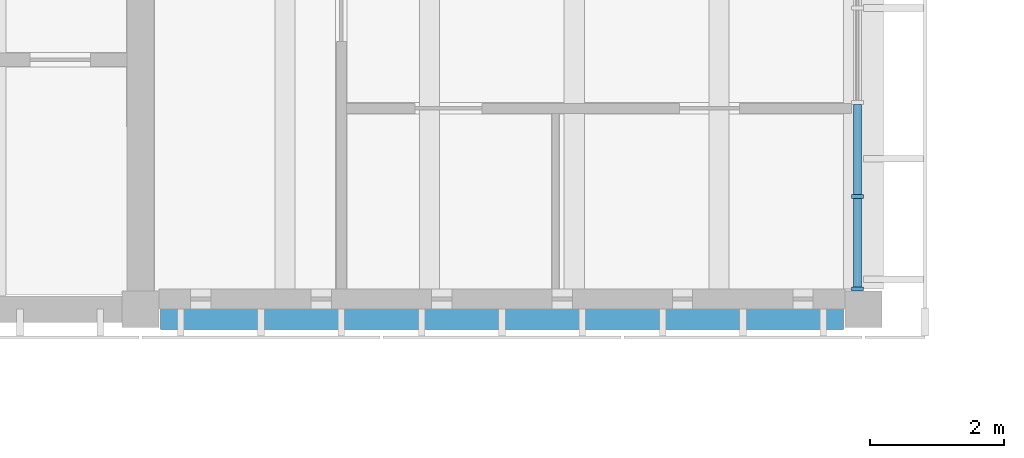
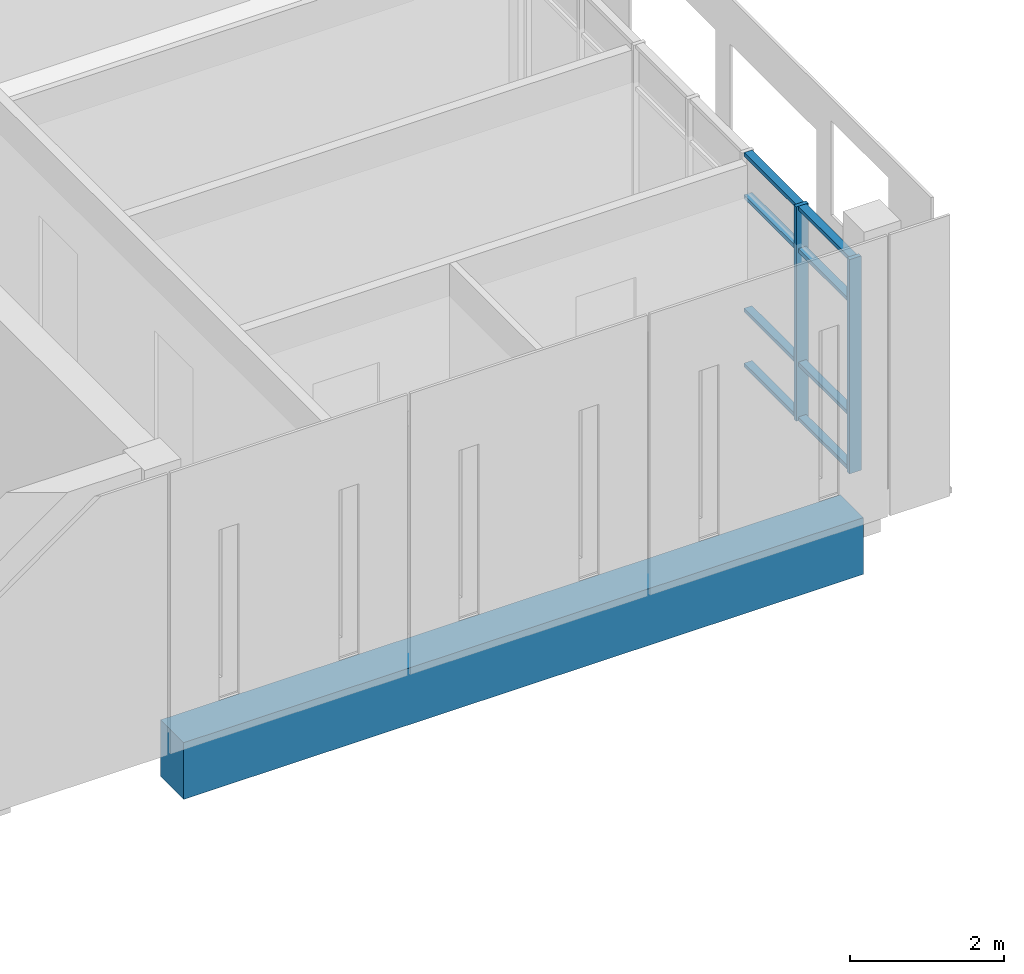
# One storey, part 8 of 74: 10 members, 1 beam, 1 element without a shape of its own.
"""IFC4 building model written with IfcOpenShell, lengths in metres."""

from ifc_helpers import new_model, si_unit, direction, frame, origin, origin_2d, place, context, subcontext, project, spatial, rectangle, extrude, material, material_profile, profile_set, type_object, element, aggregate, save


model = new_model("IFC4")

# Units and contexts
model_context = context("Model", 3, precision=1e-05, world=origin(), true_north=direction((0.0, 1.0)))
body_context = subcontext(model_context, "Body", "Model", "MODEL_VIEW")
ifc_project = project(units=[si_unit("LENGTHUNIT", "METRE"), si_unit("AREAUNIT", "SQUARE_METRE"), si_unit("VOLUMEUNIT", "CUBIC_METRE"), si_unit("PLANEANGLEUNIT", "RADIAN"), si_unit("MASSUNIT", "GRAM", prefix="KILO")], contexts=[model_context])

# Site, building, storey
site_placement = place(None, origin())
site = spatial("IfcSite", under=ifc_project, at=site_placement, CompositionType="ELEMENT")
building_placement = place(site_placement, origin())
building = spatial("IfcBuilding", under=site, at=building_placement, Name="Merrow Basin Faculty of Sciences", CompositionType="ELEMENT")
storey_placement = place(building_placement, frame((0.0, 0.0, 13.5)))
storey = spatial("IfcBuildingStorey", under=building, at=storey_placement, Name="L03", CompositionType="ELEMENT", Elevation=13.5)

# Curtain wall, members
ifc_material_1 = material(Name="Aluminium alloy 6063", Category="aluminium")
curtain_wall_type = type_object("IfcCurtainWallType", Name="Bar unitised curtain wall 180", PredefinedType="NOTDEFINED", material=ifc_material_1)
curtain_wall_placement = place(storey_placement, origin())
curtain_wall = element("IfcCurtainWall", 1, at=curtain_wall_placement, inside=storey, type_object=curtain_wall_type, Name="East curtain wall L03 1", PredefinedType="NOTDEFINED")
ifc_material_2 = material(Name="Aluminium alloy 6063", Category="aluminium")
ifc_material_profile_1 = material_profile(ifc_material_2, rectangle(XDim=0.179931640625, YDim=0.06005859375, at=origin_2d()))
ifc_profile_set_1 = profile_set([ifc_material_profile_1], Name="Aluminium alloy 6063")
member_type_1 = type_object("IfcMemberType", Name="Aluminium mullion 60x180", PredefinedType="MULLION", material=ifc_profile_set_1)
member_1_placement = place(storey_placement, frame((21.510009765625, 61.304931640625, 0.0), z_axis=(0.0, 0.0, 1.0), x_axis=(-1.0, 0.0, 0.0)))
member_1 = element("IfcMember", 2, at=member_1_placement, type_object=member_type_1, Name="CW1 mullion 1", PredefinedType="MULLION", context=body_context, shape_type="SweptSolid", body=[
    extrude(rectangle(XDim=0.179931640625, YDim=0.06005859375, at=origin_2d()), origin(), (0.0, 0.0, 1.0), 3.39990234375),
])
member_2_placement = place(storey_placement, frame((21.510009765625, 62.683349609375, 0.0), z_axis=(0.0, 0.0, 1.0), x_axis=(-1.0, 0.0, 0.0)))
member_2 = element("IfcMember", 3, at=member_2_placement, type_object=member_type_1, Name="CW1 mullion 2", PredefinedType="MULLION", context=body_context, shape_type="SweptSolid", body=[
    extrude(rectangle(XDim=0.179931640625, YDim=0.06005859375, at=origin_2d()), origin(), (0.0, 0.0, 1.0), 3.39990234375),
])
ifc_material_3 = material(Name="Aluminium alloy 6063", Category="aluminium")
ifc_material_profile_2 = material_profile(ifc_material_3, rectangle(XDim=0.1201171875, YDim=0.06005859375, at=origin_2d()))
ifc_profile_set_2 = profile_set([ifc_material_profile_2], Name="Aluminium alloy 6063")
member_type_2 = type_object("IfcMemberType", Name="Aluminium transom 60x120", PredefinedType="USERDEFINED", material=ifc_profile_set_2)
member_3_placement = place(storey_placement, frame((21.510009765625, 61.3349609375, 0.030029296875), z_axis=(0.0, 1.0, 0.0), x_axis=(-1.0, 0.0, 0.0)))
member_3 = element("IfcMember", 4, at=member_3_placement, type_object=member_type_2, Name="CW1 transom 1.1", ObjectType="TRANSOM", PredefinedType="USERDEFINED", context=body_context, shape_type="SweptSolid", body=[
    extrude(rectangle(XDim=0.1201171875, YDim=0.06005859375, at=origin_2d()), origin(), (0.0, 0.0, 1.0), 1.318359375),
])
member_4_placement = place(storey_placement, frame((21.510009765625, 61.3349609375, 0.89990234375), z_axis=(0.0, 1.0, 0.0), x_axis=(-1.0, 0.0, 0.0)))
member_4 = element("IfcMember", 5, at=member_4_placement, type_object=member_type_2, Name="CW1 transom 1.2", ObjectType="TRANSOM", PredefinedType="USERDEFINED", context=body_context, shape_type="SweptSolid", body=[
    extrude(rectangle(XDim=0.1201171875, YDim=0.06005859375, at=origin_2d()), origin(), (0.0, 0.0, 1.0), 1.318359375),
])
member_5_placement = place(storey_placement, frame((21.510009765625, 61.3349609375, 2.699951171875), z_axis=(0.0, 1.0, 0.0), x_axis=(-1.0, 0.0, 0.0)))
member_5 = element("IfcMember", 6, at=member_5_placement, type_object=member_type_2, Name="CW1 transom 1.3", ObjectType="TRANSOM", PredefinedType="USERDEFINED", context=body_context, shape_type="SweptSolid", body=[
    extrude(rectangle(XDim=0.1201171875, YDim=0.06005859375, at=origin_2d()), origin(), (0.0, 0.0, 1.0), 1.318359375),
])
member_6_placement = place(storey_placement, frame((21.510009765625, 61.3349609375, 3.3701171875), z_axis=(0.0, 1.0, 0.0), x_axis=(-1.0, 0.0, 0.0)))
member_6 = element("IfcMember", 7, at=member_6_placement, type_object=member_type_2, Name="CW1 transom 1.4", ObjectType="TRANSOM", PredefinedType="USERDEFINED", context=body_context, shape_type="SweptSolid", body=[
    extrude(rectangle(XDim=0.1201171875, YDim=0.06005859375, at=origin_2d()), origin(), (0.0, 0.0, 1.0), 1.318359375),
])
member_7_placement = place(storey_placement, frame((21.510009765625, 62.71337890625, 0.030029296875), z_axis=(0.0, 1.0, 0.0), x_axis=(-1.0, 0.0, 0.0)))
member_7 = element("IfcMember", 8, at=member_7_placement, type_object=member_type_2, Name="CW1 transom 2.1", ObjectType="TRANSOM", PredefinedType="USERDEFINED", context=body_context, shape_type="SweptSolid", body=[
    extrude(rectangle(XDim=0.1201171875, YDim=0.06005859375, at=origin_2d()), origin(), (0.0, 0.0, 1.0), 1.348388671875),
])
member_8_placement = place(storey_placement, frame((21.510009765625, 62.71337890625, 0.89990234375), z_axis=(0.0, 1.0, 0.0), x_axis=(-1.0, 0.0, 0.0)))
member_8 = element("IfcMember", 9, at=member_8_placement, type_object=member_type_2, Name="CW1 transom 2.2", ObjectType="TRANSOM", PredefinedType="USERDEFINED", context=body_context, shape_type="SweptSolid", body=[
    extrude(rectangle(XDim=0.1201171875, YDim=0.06005859375, at=origin_2d()), origin(), (0.0, 0.0, 1.0), 1.348388671875),
])
member_9_placement = place(storey_placement, frame((21.510009765625, 62.71337890625, 2.699951171875), z_axis=(0.0, 1.0, 0.0), x_axis=(-1.0, 0.0, 0.0)))
member_9 = element("IfcMember", 10, at=member_9_placement, type_object=member_type_2, Name="CW1 transom 2.3", ObjectType="TRANSOM", PredefinedType="USERDEFINED", context=body_context, shape_type="SweptSolid", body=[
    extrude(rectangle(XDim=0.1201171875, YDim=0.06005859375, at=origin_2d()), origin(), (0.0, 0.0, 1.0), 1.348388671875),
])
member_10_placement = place(storey_placement, frame((21.510009765625, 62.71337890625, 3.3701171875), z_axis=(0.0, 1.0, 0.0), x_axis=(-1.0, 0.0, 0.0)))
member_10 = element("IfcMember", 11, at=member_10_placement, type_object=member_type_2, Name="CW1 transom 2.4", ObjectType="TRANSOM", PredefinedType="USERDEFINED", context=body_context, shape_type="SweptSolid", body=[
    extrude(rectangle(XDim=0.1201171875, YDim=0.06005859375, at=origin_2d()), origin(), (0.0, 0.0, 1.0), 1.348388671875),
])
aggregate(curtain_wall, [member_1, member_2, member_3, member_4, member_5, member_6, member_7, member_8, member_9, member_10])

# Beam
ifc_material_4 = material(Name="Concrete C40/50", Category="concrete")
ifc_material_profile_3 = material_profile(ifc_material_4, rectangle(XDim=0.60009765625, YDim=0.89990234375, at=origin_2d()))
ifc_profile_set_3 = profile_set([ifc_material_profile_3], Name="Concrete C40/50")
beam_type = type_object("IfcBeamType", Name="Beam RC600x900 C40/50", PredefinedType="BEAM", material=ifc_profile_set_3)
beam_placement = place(storey_placement, frame((11.10009765625, 61.0, -0.75), z_axis=(1.0, 0.0, 0.0), x_axis=(0.0, 1.0, 0.0)))
element("IfcBeam", 12, at=beam_placement, inside=storey, type_object=beam_type, Name="B1 L03 001", PredefinedType="BEAM", context=body_context, shape_type="SweptSolid", body=[
    extrude(rectangle(XDim=0.60009765625, YDim=0.89990234375, at=origin_2d()), origin(), (0.0, 0.0, 1.0), 10.199951171875),
])

save(model, "model.ifc")
